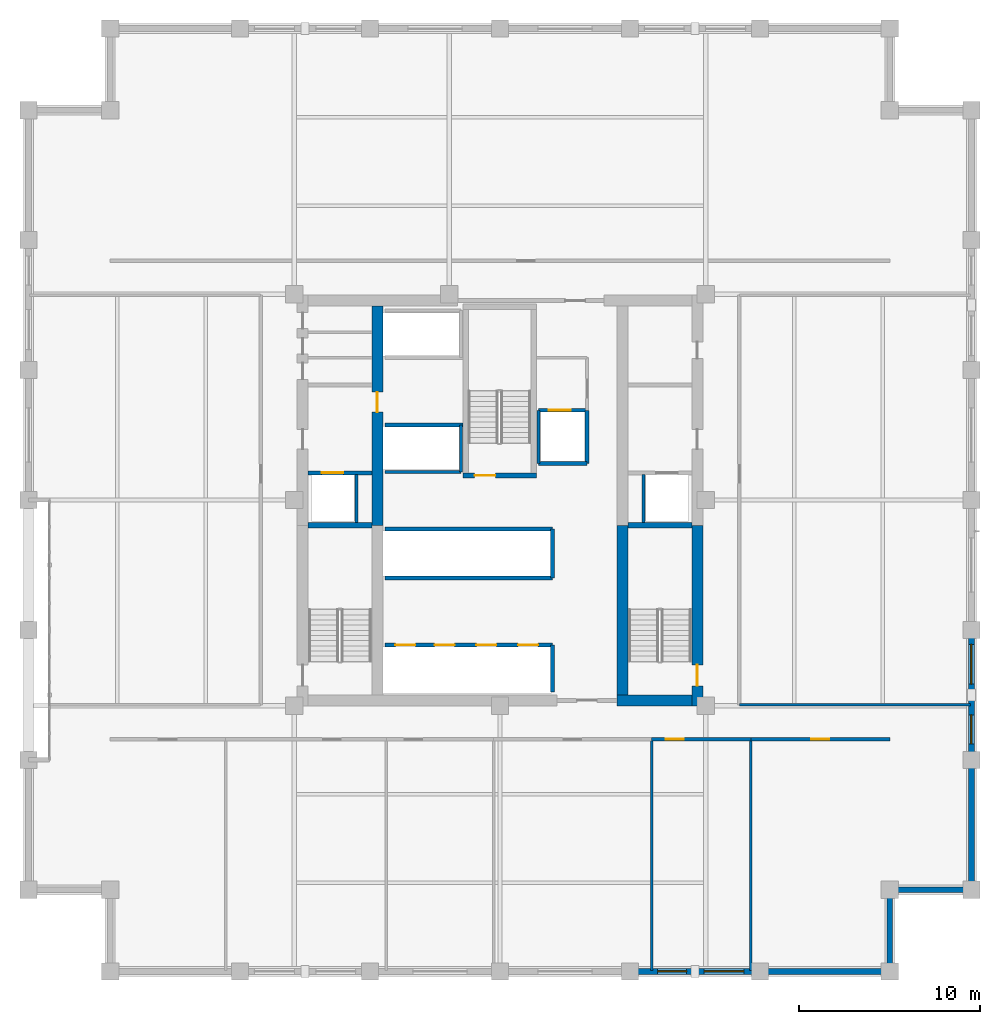
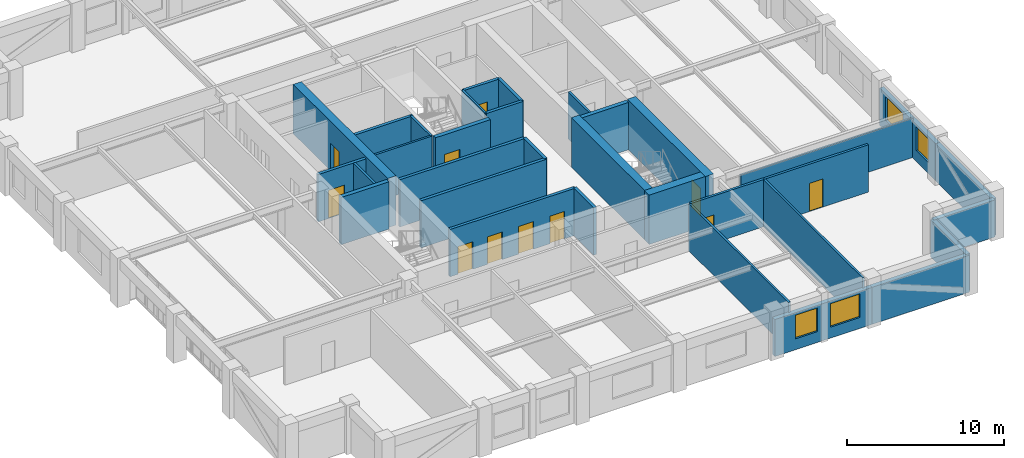
# One storey, part 8 of 12: 33 walls, 11 doors, 4 windows, 15 openings.
"""IFC4 building model written with IfcOpenShell, lengths in metres."""

from ifc_helpers import new_model, si_unit, direction, frame, frame_2d, origin, place, context, subcontext, project, spatial, rectangle, extrude, material, layer, layer_set, type_object, element, fill, save


model = new_model("IFC4")

# Units and contexts
model_context = context("Model", 3, precision=1e-05, world=origin(), true_north=direction((0.0, 1.0)))
body_context = subcontext(model_context, "Body", "Model", "MODEL_VIEW")
ifc_project = project(units=[si_unit("LENGTHUNIT", "METRE"), si_unit("AREAUNIT", "SQUARE_METRE"), si_unit("VOLUMEUNIT", "CUBIC_METRE"), si_unit("PLANEANGLEUNIT", "RADIAN"), si_unit("MASSUNIT", "GRAM", prefix="KILO")], contexts=[model_context])

# Site, building, storey
site_placement = place(None, origin())
site = spatial("IfcSite", under=ifc_project, at=site_placement, CompositionType="ELEMENT")
building_placement = place(site_placement, origin())
building = spatial("IfcBuilding", under=site, at=building_placement, Name="Nhamokura Convention Tower", CompositionType="ELEMENT")
storey_placement = place(building_placement, frame((0.0, 0.0, 164.5)))
storey = spatial("IfcBuildingStorey", under=building, at=storey_placement, Name="L40", CompositionType="ELEMENT", Elevation=164.5)

# Wall, openings, windows
ifc_material_1 = material(Name="Bronze-pigmented precast concrete C45/55", Category="concrete")
ifc_layer_1 = layer(ifc_material_1, 0.320068359375)
ifc_layer_set_1 = layer_set([ifc_layer_1], Name="BronzePrecastSpandrel_320")
wall_type_1 = type_object("IfcWallType", Name="BronzePrecastSpandrel_320", PredefinedType="USERDEFINED", material=ifc_layer_set_1)
wall_1_placement = place(storey_placement, frame((46.333251953125, 6.0, 0.0), z_axis=(0.0, 0.0, 1.0), x_axis=(-1.0, 0.0, 0.0)))
wall_1 = element("IfcWall", 1, at=wall_1_placement, inside=storey, type_object=wall_type_1, Name="L40 Masonry-Frame Wall SOUTH 4", ObjectType="SPANDREL_WALL", PredefinedType="USERDEFINED", context=body_context, shape_type="SweptSolid", body=[
    extrude(rectangle(XDim=7.16650390625, YDim=0.320068359375, at=frame_2d((3.583251953125, 0.0))), origin(), (0.0, 0.0, 1.0), 2.885009765625),
])
opening_1_placement = place(wall_1_placement, frame((0.879150390625, 0.0, 0.85009765625)))
opening_1 = element("IfcOpeningElement", 2, at=opening_1_placement, cuts=wall_1, Name="Opening W-06", PredefinedType="OPENING", context=body_context, shape_type="SweptSolid", body=[
    extrude(rectangle(XDim=2.199951171875, YDim=1.8349609375, at=frame_2d((1.10009765625, 0.91748046875))), frame((0.0, 0.169921875, 0.0), z_axis=(0.0, -1.0, 0.0), x_axis=(1.0, 0.0, 0.0)), (0.0, 0.0, 1.0), 0.340087890625),
])
opening_2_placement = place(wall_1_placement, frame((4.03759765625, 0.0, 0.85009765625)))
opening_2 = element("IfcOpeningElement", 3, at=opening_2_placement, cuts=wall_1, Name="Opening W-11", PredefinedType="OPENING", context=body_context, shape_type="SweptSolid", body=[
    extrude(rectangle(XDim=1.60009765625, YDim=1.8349609375, at=frame_2d((0.800048828125, 0.91748046875))), frame((0.0, 0.169921875, 0.0), z_axis=(0.0, -1.0, 0.0), x_axis=(1.0, 0.0, 0.0)), (0.0, 0.0, 1.0), 0.340087890625),
])
ifc_material_2 = material(Name="Solar-control bronze low-E double glass", Category="glass")
window_type_1 = type_object("IfcWindowType", Name="NotchCornerWindow_1600", PartitioningType="SINGLE_PANEL", PredefinedType="WINDOW", material=ifc_material_2)
window_1_placement = place(opening_2_placement, origin())
window_1 = element("IfcWindow", 4, at=window_1_placement, inside=storey, type_object=window_type_1, Name="L40 Facade Window SOUTH 4-2", OverallHeight=1.8349609375, OverallWidth=1.60009765625, PartitioningType="SINGLE_PANEL", PredefinedType="WINDOW", context=body_context, shape_type="SweptSolid", body=[
    extrude(rectangle(XDim=1.60009765625, YDim=1.8349609375, at=frame_2d((0.800048828125, 0.91748046875))), frame((0.0, 0.030029296875, 0.0), z_axis=(0.0, -1.0, 0.0), x_axis=(1.0, 0.0, 0.0)), (0.0, 0.0, 1.0), 0.06005859375),
])
fill(opening_2, window_1)
ifc_material_3 = material(Name="Solar-control bronze low-E double glass", Category="glass")
window_type_2 = type_object("IfcWindowType", Name="OfficeModuleWindow_Z2_2200", PartitioningType="SINGLE_PANEL", PredefinedType="WINDOW", material=ifc_material_3)
window_2_placement = place(opening_1_placement, origin())
window_2 = element("IfcWindow", 5, at=window_2_placement, inside=storey, type_object=window_type_2, Name="L40 Facade Window SOUTH 4-1", OverallHeight=1.8349609375, OverallWidth=2.199951171875, PartitioningType="SINGLE_PANEL", PredefinedType="WINDOW", context=body_context, shape_type="SweptSolid", body=[
    extrude(rectangle(XDim=2.199951171875, YDim=1.8349609375, at=frame_2d((1.10009765625, 0.91748046875))), frame((0.0, 0.030029296875, 0.0), z_axis=(0.0, -1.0, 0.0), x_axis=(1.0, 0.0, 0.0)), (0.0, 0.0, 1.0), 0.06005859375),
])
fill(opening_1, window_2)

# Walls
for number, where, z_axis, x_axis, name in (
    (6, (53.5, 6.0, 0.0), (0.0, 0.0, 1.0), (-1.0, 0.0, 0.0), "L40 Braced-Bay Precast Wall SOUTH 5"),
    (7, (58.0, 17.666748046875, 0.0), (0.0, 0.0, 1.0), (0.0, -1.0, 0.0), "L40 Braced-Bay Precast Wall EAST 0"),
):
    element("IfcWall", number, at=place(storey_placement, frame(where, z_axis=z_axis, x_axis=x_axis)), inside=storey, type_object=wall_type_1, Name=name, ObjectType="SPANDREL_WALL", PredefinedType="USERDEFINED", context=body_context, shape_type="SweptSolid", body=[
        extrude(rectangle(XDim=7.166748046875, YDim=0.320068359375, at=frame_2d((3.58349609375, 0.0))), origin(), (0.0, 0.0, 1.0), 2.885009765625),
    ])

# Wall, openings, windows
wall_2_placement = place(storey_placement, frame((58.0, 24.833251953125, 0.0), z_axis=(0.0, 0.0, 1.0), x_axis=(0.0, -1.0, 0.0)))
wall_2 = element("IfcWall", 8, at=wall_2_placement, inside=storey, type_object=wall_type_1, Name="L40 Masonry-Frame Wall EAST 1", ObjectType="SPANDREL_WALL", PredefinedType="USERDEFINED", context=body_context, shape_type="SweptSolid", body=[
    extrude(rectangle(XDim=7.16650390625, YDim=0.320068359375, at=frame_2d((3.583251953125, 0.0))), origin(), (0.0, 0.0, 1.0), 2.885009765625),
])
opening_3_placement = place(wall_2_placement, frame((0.791748046875, 0.0, 0.85009765625)))
opening_3 = element("IfcOpeningElement", 9, at=opening_3_placement, cuts=wall_2, Name="Opening W-06", PredefinedType="OPENING", context=body_context, shape_type="SweptSolid", body=[
    extrude(rectangle(XDim=2.199951171875, YDim=1.8349609375, at=frame_2d((1.10009765625, 0.91748046875))), frame((0.0, 0.169921875, 0.0), z_axis=(0.0, -1.0, 0.0), x_axis=(1.0, 0.0, 0.0)), (0.0, 0.0, 1.0), 0.340087890625),
])
opening_4_placement = place(wall_2_placement, frame((4.6875, 0.0, 0.85009765625)))
opening_4 = element("IfcOpeningElement", 10, at=opening_4_placement, cuts=wall_2, Name="Opening W-11", PredefinedType="OPENING", context=body_context, shape_type="SweptSolid", body=[
    extrude(rectangle(XDim=1.60009765625, YDim=1.8349609375, at=frame_2d((0.800048828125, 0.91748046875))), frame((0.0, 0.169921875, 0.0), z_axis=(0.0, -1.0, 0.0), x_axis=(1.0, 0.0, 0.0)), (0.0, 0.0, 1.0), 0.340087890625),
])
window_3_placement = place(opening_4_placement, origin())
window_3 = element("IfcWindow", 11, at=window_3_placement, inside=storey, type_object=window_type_1, Name="L40 Facade Window EAST 1-2", OverallHeight=1.8349609375, OverallWidth=1.60009765625, PartitioningType="SINGLE_PANEL", PredefinedType="WINDOW", context=body_context, shape_type="SweptSolid", body=[
    extrude(rectangle(XDim=1.60009765625, YDim=1.8349609375, at=frame_2d((0.800048828125, 0.91748046875))), frame((0.0, 0.030029296875, 0.0), z_axis=(0.0, -1.0, 0.0), x_axis=(1.0, 0.0, 0.0)), (0.0, 0.0, 1.0), 0.06005859375),
])
fill(opening_4, window_3)
window_4_placement = place(opening_3_placement, origin())
window_4 = element("IfcWindow", 12, at=window_4_placement, inside=storey, type_object=window_type_2, Name="L40 Facade Window EAST 1-1", OverallHeight=1.8349609375, OverallWidth=2.199951171875, PartitioningType="SINGLE_PANEL", PredefinedType="WINDOW", context=body_context, shape_type="SweptSolid", body=[
    extrude(rectangle(XDim=2.199951171875, YDim=1.8349609375, at=frame_2d((1.10009765625, 0.91748046875))), frame((0.0, 0.030029296875, 0.0), z_axis=(0.0, -1.0, 0.0), x_axis=(1.0, 0.0, 0.0)), (0.0, 0.0, 1.0), 0.06005859375),
])
fill(opening_3, window_4)

# Walls
for number, where, z_axis, x_axis, name in (
    (13, (53.5, 10.5, 0.0), (0.0, 0.0, 1.0), (0.0, -1.0, 0.0), "L40 Notched Corner Wall SE1"),
    (14, (58.0, 10.5, 0.0), (0.0, 0.0, 1.0), (-1.0, 0.0, 0.0), "L40 Notched Corner Wall SE2"),
):
    element("IfcWall", number, at=place(storey_placement, frame(where, z_axis=z_axis, x_axis=x_axis)), inside=storey, type_object=wall_type_1, Name=name, ObjectType="SPANDREL_WALL", PredefinedType="USERDEFINED", context=body_context, shape_type="SweptSolid", body=[
        extrude(rectangle(XDim=4.5, YDim=0.320068359375, at=frame_2d((2.25, 0.0))), origin(), (0.0, 0.0, 1.0), 2.885009765625),
    ])

# Wall, opening, door
ifc_material_4 = material(Name="Concrete C60/75", Category="concrete")
ifc_layer_2 = layer(ifc_material_4, 0.60009765625)
ifc_layer_set_2 = layer_set([ifc_layer_2], Name="CoreShearWall_600")
wall_type_2 = type_object("IfcWallType", Name="CoreShearWall_600", PredefinedType="SHEAR", material=ifc_layer_set_2)
wall_3_placement = place(storey_placement, frame((42.889892578125, 20.64990234375, 0.0), z_axis=(0.0, 0.0, 1.0), x_axis=(0.0, 1.0, 0.0)))
wall_3 = element("IfcWall", 15, at=wall_3_placement, inside=storey, type_object=wall_type_2, Name="L40 Core Shear Wall CW-ES", PredefinedType="SHEAR", context=body_context, shape_type="SweptSolid", body=[
    extrude(rectangle(XDim=9.9501953125, YDim=0.60009765625, at=frame_2d((4.97509765625, 0.0))), origin(), (0.0, 0.0, 1.0), 3.85009765625),
])
opening_5_placement = place(wall_3_placement, frame((1.10009765625, 0.0, 0.0)))
opening_5 = element("IfcOpeningElement", 16, at=opening_5_placement, cuts=wall_3, Name="Opening D-04", PredefinedType="OPENING", context=body_context, shape_type="SweptSolid", body=[
    extrude(rectangle(XDim=1.14990234375, YDim=2.14990234375, at=frame_2d((0.574951171875, 1.074951171875))), frame((0.0, 0.31005859375, 0.0), z_axis=(0.0, -1.0, 0.0), x_axis=(1.0, 0.0, 0.0)), (0.0, 0.0, 1.0), 0.6201171875),
])
ifc_material_5 = material(Name="Fire-rated steel door", Category="steel")
door_type_1 = type_object("IfcDoorType", Name="StairSmokeDoor_1150", OperationType="NOTDEFINED", PredefinedType="DOOR", material=ifc_material_5)
door_1_placement = place(opening_5_placement, origin())
door_1 = element("IfcDoor", 17, at=door_1_placement, inside=storey, type_object=door_type_1, Name="L40 Core Door INT-L40-D-ST02", OperationType="SINGLE_SWING_RIGHT", OverallHeight=2.14990234375, OverallWidth=1.14990234375, PredefinedType="DOOR", context=body_context, shape_type="SweptSolid", body=[
    extrude(rectangle(XDim=1.14990234375, YDim=2.14990234375, at=frame_2d((0.574951171875, 1.074951171875))), frame((0.0, 0.02490234375, 0.0), z_axis=(0.0, -1.0, 0.0), x_axis=(1.0, 0.0, 0.0)), (0.0, 0.0, 1.0), 0.050048828125),
])
fill(opening_5, door_1)

# Wall
wall_4_placement = place(storey_placement, frame((38.449951171875, 20.949951171875, 0.0), z_axis=(0.0, 0.0, 1.0), x_axis=(1.0, 0.0, 0.0)))
element("IfcWall", 18, at=wall_4_placement, inside=storey, type_object=wall_type_2, Name="L40 Core Shear Wall CW-S2", PredefinedType="SHEAR", context=body_context, shape_type="SweptSolid", body=[
    extrude(rectangle(XDim=4.14013671875, YDim=0.60009765625, at=frame_2d((2.070068359375, 0.0))), origin(), (0.0, 0.0, 1.0), 3.85009765625),
])

# Wall, opening, door
wall_5_placement = place(storey_placement, frame((25.239990234375, 30.60009765625, 0.0), z_axis=(0.0, 0.0, 1.0), x_axis=(0.0, 1.0, 0.0)))
wall_5 = element("IfcWall", 19, at=wall_5_placement, inside=storey, type_object=wall_type_2, Name="L40 Core Shear Wall CW-IWN", PredefinedType="SHEAR", context=body_context, shape_type="SweptSolid", body=[
    extrude(rectangle(XDim=12.099853515625, YDim=0.60009765625, at=frame_2d((6.0498046875, 0.0))), origin(), (0.0, 0.0, 1.0), 3.85009765625),
])
opening_6_placement = place(wall_5_placement, frame((6.25, 0.0, 0.0)))
opening_6 = element("IfcOpeningElement", 20, at=opening_6_placement, cuts=wall_5, Name="Opening D-05", PredefinedType="OPENING", context=body_context, shape_type="SweptSolid", body=[
    extrude(rectangle(XDim=1.10009765625, YDim=2.14990234375, at=frame_2d((0.550048828125, 1.074951171875))), frame((0.0, 0.31005859375, 0.0), z_axis=(0.0, -1.0, 0.0), x_axis=(1.0, 0.0, 0.0)), (0.0, 0.0, 1.0), 0.6201171875),
])
ifc_material_6 = material(Name="Fire-rated steel door", Category="steel")
door_type_2 = type_object("IfcDoorType", Name="FireLobbyDoor_1100", OperationType="NOTDEFINED", PredefinedType="DOOR", material=ifc_material_6)
door_2_placement = place(opening_6_placement, origin())
door_2 = element("IfcDoor", 21, at=door_2_placement, inside=storey, type_object=door_type_2, Name="L40 Core Door INT-L40-D-B3LOB", OperationType="SINGLE_SWING_LEFT", OverallHeight=2.14990234375, OverallWidth=1.10009765625, PredefinedType="DOOR", context=body_context, shape_type="SweptSolid", body=[
    extrude(rectangle(XDim=1.10009765625, YDim=2.14990234375, at=frame_2d((0.550048828125, 1.074951171875))), frame((0.0, 0.02490234375, 0.0), z_axis=(0.0, -1.0, 0.0), x_axis=(1.0, 0.0, 0.0)), (0.0, 0.0, 1.0), 0.050048828125),
])
fill(opening_6, door_2)

# Wall
wall_6_placement = place(storey_placement, frame((38.760009765625, 21.25, 0.0), z_axis=(0.0, 0.0, 1.0), x_axis=(0.0, 1.0, 0.0)))
element("IfcWall", 22, at=wall_6_placement, inside=storey, type_object=wall_type_2, Name="L40 Core Shear Wall CW-IES", PredefinedType="SHEAR", context=body_context, shape_type="SweptSolid", body=[
    extrude(rectangle(XDim=9.35009765625, YDim=0.60009765625, at=frame_2d((4.675048828125, 0.0))), origin(), (0.0, 0.0, 1.0), 3.85009765625),
])

# Wall, opening, door
ifc_material_7 = material(Name="Fire-rated gypsum and masonry partition", Category="masonry")
ifc_layer_3 = layer(ifc_material_7, 0.179931640625)
ifc_layer_set_3 = layer_set([ifc_layer_3], Name="CorridorRatedWall_180")
wall_type_3 = type_object("IfcWallType", Name="CorridorRatedWall_180", PredefinedType="STANDARD", material=ifc_layer_set_3)
wall_7_placement = place(storey_placement, frame((40.36669921875, 18.800048828125, 0.0), z_axis=(0.0, 0.0, 1.0), x_axis=(1.0, 0.0, 0.0)))
wall_7 = element("IfcWall", 23, at=wall_7_placement, inside=storey, type_object=wall_type_3, Name="L40 Wall INT-L40-CW-S04", PredefinedType="STANDARD", context=body_context, shape_type="SweptSolid", body=[
    extrude(rectangle(XDim=5.466552734375, YDim=0.179931640625, at=frame_2d((2.7333984375, 0.0))), origin(), (0.0, 0.0, 1.0), 3.68505859375),
])
opening_7_placement = place(wall_7_placement, frame((0.783203125, 0.0, 0.0)))
opening_7 = element("IfcOpeningElement", 24, at=opening_7_placement, cuts=wall_7, Name="Opening D-08", PredefinedType="OPENING", context=body_context, shape_type="SweptSolid", body=[
    extrude(rectangle(XDim=0.97998046875, YDim=2.199951171875, at=frame_2d((0.489990234375, 1.10009765625))), frame((0.0, 0.099853515625, 0.0), z_axis=(0.0, -1.0, 0.0), x_axis=(1.0, 0.0, 0.0)), (0.0, 0.0, 1.0), 0.199951171875),
])
ifc_material_8 = material(Name="Solid oak hardwood", Category="wood")
door_type_3 = type_object("IfcDoorType", Name="OfficeEntryDoor_980", OperationType="NOTDEFINED", PredefinedType="DOOR", material=ifc_material_8)
door_3_placement = place(opening_7_placement, origin())
door_3 = element("IfcDoor", 25, at=door_3_placement, inside=storey, type_object=door_type_3, Name="L40 Newsroom Office S05 Door", OperationType="SINGLE_SWING_LEFT", OverallHeight=2.199951171875, OverallWidth=0.97998046875, PredefinedType="DOOR", context=body_context, shape_type="SweptSolid", body=[
    extrude(rectangle(XDim=0.97998046875, YDim=2.199951171875, at=frame_2d((0.489990234375, 1.10009765625))), frame((0.0, 0.02490234375, 0.0), z_axis=(0.0, -1.0, 0.0), x_axis=(1.0, 0.0, 0.0)), (0.0, 0.0, 1.0), 0.050048828125),
])
fill(opening_7, door_3)

wall_8_placement = place(storey_placement, frame((45.833251953125, 18.800048828125, 0.0), z_axis=(0.0, 0.0, 1.0), x_axis=(1.0, 0.0, 0.0)))
wall_8 = element("IfcWall", 26, at=wall_8_placement, inside=storey, type_object=wall_type_3, Name="L40 Wall INT-L40-CW-S05", PredefinedType="STANDARD", context=body_context, shape_type="SweptSolid", body=[
    extrude(rectangle(XDim=7.666748046875, YDim=0.179931640625, at=frame_2d((3.83349609375, 0.0))), origin(), (0.0, 0.0, 1.0), 3.68505859375),
])
opening_8_placement = place(wall_8_placement, frame((3.33349609375, 0.0, 0.0)))
opening_8 = element("IfcOpeningElement", 27, at=opening_8_placement, cuts=wall_8, Name="Opening D-08", PredefinedType="OPENING", context=body_context, shape_type="SweptSolid", body=[
    extrude(rectangle(XDim=0.97998046875, YDim=2.199951171875, at=frame_2d((0.489990234375, 1.10009765625))), frame((0.0, 0.099853515625, 0.0), z_axis=(0.0, -1.0, 0.0), x_axis=(1.0, 0.0, 0.0)), (0.0, 0.0, 1.0), 0.199951171875),
])
door_4_placement = place(opening_8_placement, origin())
door_4 = element("IfcDoor", 28, at=door_4_placement, inside=storey, type_object=door_type_3, Name="L40 Green Room Lounge S06 Door", OperationType="SINGLE_SWING_RIGHT", OverallHeight=2.199951171875, OverallWidth=0.97998046875, PredefinedType="DOOR", context=body_context, shape_type="SweptSolid", body=[
    extrude(rectangle(XDim=0.97998046875, YDim=2.199951171875, at=frame_2d((0.489990234375, 1.10009765625))), frame((0.0, 0.02490234375, 0.0), z_axis=(0.0, -1.0, 0.0), x_axis=(1.0, 0.0, 0.0)), (0.0, 0.0, 1.0), 0.050048828125),
])
fill(opening_8, door_4)

ifc_material_9 = material(Name="Autoclaved concrete blockwork", Category="masonry")
ifc_layer_4 = layer(ifc_material_9, 0.219970703125)
ifc_layer_set_4 = layer_set([ifc_layer_4], Name="FireLobbyWall_220")
wall_type_4 = type_object("IfcWallType", Name="FireLobbyWall_220", PredefinedType="STANDARD", material=ifc_layer_set_4)
wall_9_placement = place(storey_placement, frame((21.409912109375, 33.5, 0.0), z_axis=(0.0, 0.0, 1.0), x_axis=(1.0, 0.0, 0.0)))
wall_9 = element("IfcWall", 29, at=wall_9_placement, inside=storey, type_object=wall_type_4, Name="L40 Wall INT-L40-FFW-S", PredefinedType="STANDARD", context=body_context, shape_type="SweptSolid", body=[
    extrude(rectangle(XDim=3.530029296875, YDim=0.219970703125, at=frame_2d((1.76513671875, 0.0))), origin(), (0.0, 0.0, 1.0), 3.68505859375),
])
opening_9_placement = place(wall_9_placement, frame((0.75, 0.0, 0.0)))
opening_9 = element("IfcOpeningElement", 30, at=opening_9_placement, cuts=wall_9, Name="Opening LD-02", PredefinedType="OPENING", context=body_context, shape_type="SweptSolid", body=[
    extrude(rectangle(XDim=1.199951171875, YDim=2.199951171875, at=frame_2d((0.60009765625, 1.10009765625))), frame((0.0, 0.119873046875, 0.0), z_axis=(0.0, -1.0, 0.0), x_axis=(1.0, 0.0, 0.0)), (0.0, 0.0, 1.0), 0.239990234375),
])
ifc_material_10 = material(Name="Anodised bronze stainless steel", Category="steel")
door_type_4 = type_object("IfcDoorType", Name="LiftLandingDoor_FireService", OperationType="DOUBLE_DOOR_SLIDING", PredefinedType="DOOR", material=ifc_material_10)
door_5_placement = place(opening_9_placement, origin())
door_5 = element("IfcDoor", 31, at=door_5_placement, inside=storey, type_object=door_type_4, Name="L40 Firefighting Lift LF-01 Door", OperationType="DOUBLE_DOOR_SLIDING", OverallHeight=2.199951171875, OverallWidth=1.199951171875, PredefinedType="DOOR", context=body_context, shape_type="SweptSolid", body=[
    extrude(rectangle(XDim=1.199951171875, YDim=2.199951171875, at=frame_2d((0.60009765625, 1.10009765625))), frame((0.0, 0.02490234375, 0.0), z_axis=(0.0, -1.0, 0.0), x_axis=(1.0, 0.0, 0.0)), (0.0, 0.0, 1.0), 0.050048828125),
])
fill(opening_9, door_5)

# Wall, openings, doors
wall_10_placement = place(storey_placement, frame((25.64990234375, 24.0, 0.0), z_axis=(0.0, 0.0, 1.0), x_axis=(1.0, 0.0, 0.0)))
wall_10 = element("IfcWall", 32, at=wall_10_placement, inside=storey, type_object=wall_type_4, Name="L40 Wall INT-L40-B1N", PredefinedType="STANDARD", context=body_context, shape_type="SweptSolid", body=[
    extrude(rectangle(XDim=9.25, YDim=0.219970703125, at=frame_2d((4.625, 0.0))), origin(), (0.0, 0.0, 1.0), 3.68505859375),
])
opening_10_placement = place(wall_10_placement, frame((0.580078125, 0.0, 0.0)))
opening_10 = element("IfcOpeningElement", 33, at=opening_10_placement, cuts=wall_10, Name="Opening LD-01", PredefinedType="OPENING", context=body_context, shape_type="SweptSolid", body=[
    extrude(rectangle(XDim=1.10009765625, YDim=2.14990234375, at=frame_2d((0.550048828125, 1.074951171875))), frame((0.0, 0.119873046875, 0.0), z_axis=(0.0, -1.0, 0.0), x_axis=(1.0, 0.0, 0.0)), (0.0, 0.0, 1.0), 0.239990234375),
])
opening_11_placement = place(wall_10_placement, frame((2.75, 0.0, 0.0)))
opening_11 = element("IfcOpeningElement", 34, at=opening_11_placement, cuts=wall_10, Name="Opening LD-01", PredefinedType="OPENING", context=body_context, shape_type="SweptSolid", body=[
    extrude(rectangle(XDim=1.10009765625, YDim=2.14990234375, at=frame_2d((0.550048828125, 1.074951171875))), frame((0.0, 0.119873046875, 0.0), z_axis=(0.0, -1.0, 0.0), x_axis=(1.0, 0.0, 0.0)), (0.0, 0.0, 1.0), 0.239990234375),
])
opening_12_placement = place(wall_10_placement, frame((5.050048828125, 0.0, 0.0)))
opening_12 = element("IfcOpeningElement", 35, at=opening_12_placement, cuts=wall_10, Name="Opening LD-01", PredefinedType="OPENING", context=body_context, shape_type="SweptSolid", body=[
    extrude(rectangle(XDim=1.10009765625, YDim=2.14990234375, at=frame_2d((0.550048828125, 1.074951171875))), frame((0.0, 0.119873046875, 0.0), z_axis=(0.0, -1.0, 0.0), x_axis=(1.0, 0.0, 0.0)), (0.0, 0.0, 1.0), 0.239990234375),
])
opening_13_placement = place(wall_10_placement, frame((7.35009765625, 0.0, 0.0)))
opening_13 = element("IfcOpeningElement", 36, at=opening_13_placement, cuts=wall_10, Name="Opening LD-01", PredefinedType="OPENING", context=body_context, shape_type="SweptSolid", body=[
    extrude(rectangle(XDim=1.10009765625, YDim=2.14990234375, at=frame_2d((0.550048828125, 1.074951171875))), frame((0.0, 0.119873046875, 0.0), z_axis=(0.0, -1.0, 0.0), x_axis=(1.0, 0.0, 0.0)), (0.0, 0.0, 1.0), 0.239990234375),
])
ifc_material_11 = material(Name="Anodised bronze stainless steel", Category="steel")
door_type_5 = type_object("IfcDoorType", Name="LiftLandingDoor_Passenger", OperationType="DOUBLE_DOOR_SLIDING", PredefinedType="DOOR", material=ifc_material_11)
door_6_placement = place(opening_10_placement, origin())
door_6 = element("IfcDoor", 37, at=door_6_placement, inside=storey, type_object=door_type_5, Name="L40 Lift LP-01 Landing Door", OperationType="DOUBLE_DOOR_SLIDING", OverallHeight=2.14990234375, OverallWidth=1.10009765625, PredefinedType="DOOR", context=body_context, shape_type="SweptSolid", body=[
    extrude(rectangle(XDim=1.10009765625, YDim=2.14990234375, at=frame_2d((0.550048828125, 1.074951171875))), frame((0.0, 0.02490234375, 0.0), z_axis=(0.0, -1.0, 0.0), x_axis=(1.0, 0.0, 0.0)), (0.0, 0.0, 1.0), 0.050048828125),
])
fill(opening_10, door_6)
door_7_placement = place(opening_11_placement, origin())
door_7 = element("IfcDoor", 38, at=door_7_placement, inside=storey, type_object=door_type_5, Name="L40 Lift LP-02 Landing Door", OperationType="DOUBLE_DOOR_SLIDING", OverallHeight=2.14990234375, OverallWidth=1.10009765625, PredefinedType="DOOR", context=body_context, shape_type="SweptSolid", body=[
    extrude(rectangle(XDim=1.10009765625, YDim=2.14990234375, at=frame_2d((0.550048828125, 1.074951171875))), frame((0.0, 0.02490234375, 0.0), z_axis=(0.0, -1.0, 0.0), x_axis=(1.0, 0.0, 0.0)), (0.0, 0.0, 1.0), 0.050048828125),
])
fill(opening_11, door_7)
door_8_placement = place(opening_12_placement, origin())
door_8 = element("IfcDoor", 39, at=door_8_placement, inside=storey, type_object=door_type_5, Name="L40 Lift LP-03 Landing Door", OperationType="DOUBLE_DOOR_SLIDING", OverallHeight=2.14990234375, OverallWidth=1.10009765625, PredefinedType="DOOR", context=body_context, shape_type="SweptSolid", body=[
    extrude(rectangle(XDim=1.10009765625, YDim=2.14990234375, at=frame_2d((0.550048828125, 1.074951171875))), frame((0.0, 0.02490234375, 0.0), z_axis=(0.0, -1.0, 0.0), x_axis=(1.0, 0.0, 0.0)), (0.0, 0.0, 1.0), 0.050048828125),
])
fill(opening_12, door_8)
door_9_placement = place(opening_13_placement, origin())
door_9 = element("IfcDoor", 40, at=door_9_placement, inside=storey, type_object=door_type_5, Name="L40 Lift LP-04 Landing Door", OperationType="DOUBLE_DOOR_SLIDING", OverallHeight=2.14990234375, OverallWidth=1.10009765625, PredefinedType="DOOR", context=body_context, shape_type="SweptSolid", body=[
    extrude(rectangle(XDim=1.10009765625, YDim=2.14990234375, at=frame_2d((0.550048828125, 1.074951171875))), frame((0.0, 0.02490234375, 0.0), z_axis=(0.0, -1.0, 0.0), x_axis=(1.0, 0.0, 0.0)), (0.0, 0.0, 1.0), 0.050048828125),
])
fill(opening_13, door_9)

# Walls
wall_11_placement = place(storey_placement, frame((34.89990234375, 21.39990234375, 0.0), z_axis=(0.0, 0.0, 1.0), x_axis=(0.0, 1.0, 0.0)))
element("IfcWall", 41, at=wall_11_placement, inside=storey, type_object=wall_type_4, Name="L40 Wall INT-L40-B1E", PredefinedType="STANDARD", context=body_context, shape_type="SweptSolid", body=[
    extrude(rectangle(XDim=2.60009765625, YDim=0.219970703125, at=frame_2d((1.300048828125, 0.0))), origin(), (0.0, 0.0, 1.0), 3.68505859375),
])
for number, where, z_axis, x_axis, name in (
    (42, (25.64990234375, 27.699951171875, 0.0), (0.0, 0.0, 1.0), (1.0, 0.0, 0.0), "L40 Wall INT-L40-B2S"),
    (43, (25.64990234375, 30.39990234375, 0.0), (0.0, 0.0, 1.0), (1.0, 0.0, 0.0), "L40 Wall INT-L40-B2N"),
):
    element("IfcWall", number, at=place(storey_placement, frame(where, z_axis=z_axis, x_axis=x_axis)), inside=storey, type_object=wall_type_4, Name=name, PredefinedType="STANDARD", context=body_context, shape_type="SweptSolid", body=[
        extrude(rectangle(XDim=9.25, YDim=0.219970703125, at=frame_2d((4.625, 0.0))), origin(), (0.0, 0.0, 1.0), 3.68505859375),
    ])
wall_12_placement = place(storey_placement, frame((34.89990234375, 27.699951171875, 0.0), z_axis=(0.0, 0.0, 1.0), x_axis=(0.0, 1.0, 0.0)))
element("IfcWall", 44, at=wall_12_placement, inside=storey, type_object=wall_type_4, Name="L40 Wall INT-L40-B2E", PredefinedType="STANDARD", context=body_context, shape_type="SweptSolid", body=[
    extrude(rectangle(XDim=2.699951171875, YDim=0.219970703125, at=frame_2d((1.35009765625, 0.0))), origin(), (0.0, 0.0, 1.0), 3.68505859375),
])
wall_13_placement = place(storey_placement, frame((25.64990234375, 36.14990234375, 0.0), z_axis=(0.0, 0.0, 1.0), x_axis=(1.0, 0.0, 0.0)))
element("IfcWall", 45, at=wall_13_placement, inside=storey, type_object=wall_type_4, Name="L40 Wall INT-L40-B3S", PredefinedType="STANDARD", context=body_context, shape_type="SweptSolid", body=[
    extrude(rectangle(XDim=4.300048828125, YDim=0.219970703125, at=frame_2d((2.14990234375, 0.0))), origin(), (0.0, 0.0, 1.0), 3.68505859375),
])

# Wall, opening, door
wall_14_placement = place(storey_placement, frame((34.1201171875, 36.949951171875, 0.0), z_axis=(0.0, 0.0, 1.0), x_axis=(1.0, 0.0, 0.0)))
wall_14 = element("IfcWall", 46, at=wall_14_placement, inside=storey, type_object=wall_type_4, Name="L40 Wall INT-L40-LSN", PredefinedType="STANDARD", context=body_context, shape_type="SweptSolid", body=[
    extrude(rectangle(XDim=2.679931640625, YDim=0.219970703125, at=frame_2d((1.33984375, 0.0))), origin(), (0.0, 0.0, 1.0), 3.68505859375),
])
opening_14_placement = place(wall_14_placement, frame((0.580078125, 0.0, 0.0)))
opening_14 = element("IfcOpeningElement", 47, at=opening_14_placement, cuts=wall_14, Name="Opening LD-02", PredefinedType="OPENING", context=body_context, shape_type="SweptSolid", body=[
    extrude(rectangle(XDim=1.199951171875, YDim=2.199951171875, at=frame_2d((0.60009765625, 1.10009765625))), frame((0.0, 0.119873046875, 0.0), z_axis=(0.0, -1.0, 0.0), x_axis=(1.0, 0.0, 0.0)), (0.0, 0.0, 1.0), 0.239990234375),
])
door_10_placement = place(opening_14_placement, origin())
door_10 = element("IfcDoor", 48, at=door_10_placement, inside=storey, type_object=door_type_4, Name="L40 Service Lift LS-01 Door", OperationType="DOUBLE_DOOR_SLIDING", OverallHeight=2.199951171875, OverallWidth=1.199951171875, PredefinedType="DOOR", context=body_context, shape_type="SweptSolid", body=[
    extrude(rectangle(XDim=1.199951171875, YDim=2.199951171875, at=frame_2d((0.60009765625, 1.10009765625))), frame((0.0, 0.02490234375, 0.0), z_axis=(0.0, -1.0, 0.0), x_axis=(1.0, 0.0, 0.0)), (0.0, 0.0, 1.0), 0.050048828125),
])
fill(opening_14, door_10)

# Walls
wall_15_placement = place(storey_placement, frame((36.800048828125, 34.02001953125, 0.0), z_axis=(0.0, 0.0, 1.0), x_axis=(0.0, 1.0, 0.0)))
element("IfcWall", 49, at=wall_15_placement, inside=storey, type_object=wall_type_4, Name="L40 Wall INT-L40-LSE", PredefinedType="STANDARD", context=body_context, shape_type="SweptSolid", body=[
    extrude(rectangle(XDim=2.929931640625, YDim=0.219970703125, at=frame_2d((1.46484375, 0.0))), origin(), (0.0, 0.0, 1.0), 3.68505859375),
])
wall_16_placement = place(storey_placement, frame((34.1201171875, 34.02001953125, 0.0), z_axis=(0.0, 0.0, 1.0), x_axis=(1.0, 0.0, 0.0)))
element("IfcWall", 50, at=wall_16_placement, inside=storey, type_object=wall_type_4, Name="L40 Wall INT-L40-LSS", PredefinedType="STANDARD", context=body_context, shape_type="SweptSolid", body=[
    extrude(rectangle(XDim=2.679931640625, YDim=0.219970703125, at=frame_2d((1.33984375, 0.0))), origin(), (0.0, 0.0, 1.0), 3.68505859375),
])
ifc_material_12 = material(Name="Acoustic gypsum stud partition", Category="masonry")
ifc_layer_5 = layer(ifc_material_12, 0.14990234375)
ifc_layer_set_5 = layer_set([ifc_layer_5], Name="InteriorPartition_150")
wall_type_5 = type_object("IfcWallType", Name="InteriorPartition_150", PredefinedType="STANDARD", material=ifc_layer_set_5)
for number, where, z_axis, x_axis, name in (
    (51, (24.080078125, 30.75, 0.0), (0.0, 0.0, 1.0), (0.0, 1.0, 0.0), "L40 Wall INT-L40-FF1-E"),
    (52, (39.919921875, 30.75, 0.0), (0.0, 0.0, 1.0), (0.0, 1.0, 0.0), "L40 Wall INT-L40-FF2-W"),
):
    element("IfcWall", number, at=place(storey_placement, frame(where, z_axis=z_axis, x_axis=x_axis)), inside=storey, type_object=wall_type_5, Name=name, PredefinedType="STANDARD", context=body_context, shape_type="SweptSolid", body=[
        extrude(rectangle(XDim=2.64990234375, YDim=0.14990234375, at=frame_2d((1.324951171875, 0.0))), origin(), (0.0, 0.0, 1.0), 3.68505859375),
    ])
wall_17_placement = place(storey_placement, frame((25.64990234375, 33.550048828125, 0.0), z_axis=(0.0, 0.0, 1.0), x_axis=(1.0, 0.0, 0.0)))
element("IfcWall", 53, at=wall_17_placement, inside=storey, type_object=wall_type_5, Name="L40 Wall INT-L40-B3A-S", PredefinedType="STANDARD", context=body_context, shape_type="SweptSolid", body=[
    extrude(rectangle(XDim=4.2001953125, YDim=0.14990234375, at=frame_2d((2.10009765625, 0.0))), origin(), (0.0, 0.0, 1.0), 3.68505859375),
])
wall_18_placement = place(storey_placement, frame((29.85009765625, 33.550048828125, 0.0), z_axis=(0.0, 0.0, 1.0), x_axis=(0.0, 1.0, 0.0)))
element("IfcWall", 54, at=wall_18_placement, inside=storey, type_object=wall_type_5, Name="L40 Wall INT-L40-B3A-E", PredefinedType="STANDARD", context=body_context, shape_type="SweptSolid", body=[
    extrude(rectangle(XDim=2.599853515625, YDim=0.14990234375, at=frame_2d((1.2998046875, 0.0))), origin(), (0.0, 0.0, 1.0), 3.68505859375),
])
wall_19_placement = place(storey_placement, frame((34.1201171875, 34.02001953125, 0.0), z_axis=(0.0, 0.0, 1.0), x_axis=(0.0, 1.0, 0.0)))
element("IfcWall", 55, at=wall_19_placement, inside=storey, type_object=wall_type_5, Name="L40 Wall INT-L40-LSW", PredefinedType="STANDARD", context=body_context, shape_type="SweptSolid", body=[
    extrude(rectangle(XDim=2.929931640625, YDim=0.14990234375, at=frame_2d((1.46484375, 0.0))), origin(), (0.0, 0.0, 1.0), 3.68505859375),
])
for number, where, z_axis, x_axis, name in (
    (56, (40.36669921875, 6.06005859375, 0.0), (0.0, 0.0, 1.0), (0.0, 1.0, 0.0), "L40 Wall INT-L40-RW-S04"),
    (57, (45.833251953125, 6.06005859375, 0.0), (0.0, 0.0, 1.0), (0.0, 1.0, 0.0), "L40 Wall INT-L40-RW-S05"),
):
    element("IfcWall", number, at=place(storey_placement, frame(where, z_axis=z_axis, x_axis=x_axis)), inside=storey, type_object=wall_type_5, Name=name, PredefinedType="STANDARD", context=body_context, shape_type="SweptSolid", body=[
        extrude(rectangle(XDim=12.739990234375, YDim=0.14990234375, at=frame_2d((6.3701171875, 0.0))), origin(), (0.0, 0.0, 1.0), 3.68505859375),
    ])
wall_20_placement = place(storey_placement, frame((45.199951171875, 20.699951171875, 0.0), z_axis=(0.0, 0.0, 1.0), x_axis=(1.0, 0.0, 0.0)))
element("IfcWall", 58, at=wall_20_placement, inside=storey, type_object=wall_type_5, Name="L40 Wall INT-L40-RWB-E", PredefinedType="STANDARD", context=body_context, shape_type="SweptSolid", body=[
    extrude(rectangle(XDim=12.739990234375, YDim=0.14990234375, at=frame_2d((6.3701171875, 0.0))), origin(), (0.0, 0.0, 1.0), 3.055908203125),
])
ifc_material_13 = material(Name="Concrete C50/60", Category="concrete")
ifc_layer_6 = layer(ifc_material_13, 0.300048828125)
ifc_layer_set_6 = layer_set([ifc_layer_6], Name="ShaftEnclosureWall_300")
wall_type_6 = type_object("IfcWallType", Name="ShaftEnclosureWall_300", PredefinedType="SHEAR", material=ifc_layer_set_6)
for number, where, z_axis, x_axis, name in (
    (59, (21.409912109375, 30.60009765625, 0.0), (0.0, 0.0, 1.0), (1.0, 0.0, 0.0), "L40 Wall INT-L40-ST01-N"),
    (60, (39.06005859375, 30.60009765625, 0.0), (0.0, 0.0, 1.0), (1.0, 0.0, 0.0), "L40 Wall INT-L40-ST02-N"),
):
    element("IfcWall", number, at=place(storey_placement, frame(where, z_axis=z_axis, x_axis=x_axis)), inside=storey, type_object=wall_type_6, Name=name, PredefinedType="SHEAR", context=body_context, shape_type="SweptSolid", body=[
        extrude(rectangle(XDim=3.530029296875, YDim=0.300048828125, at=frame_2d((1.76513671875, 0.0))), origin(), (0.0, 0.0, 1.0), 3.68505859375),
    ])

# Wall, opening, door
wall_21_placement = place(storey_placement, frame((29.949951171875, 33.35009765625, 0.0), z_axis=(0.0, 0.0, 1.0), x_axis=(1.0, 0.0, 0.0)))
wall_21 = element("IfcWall", 61, at=wall_21_placement, inside=storey, type_object=wall_type_6, Name="L40 Wall INT-L40-ST03S", PredefinedType="SHEAR", context=body_context, shape_type="SweptSolid", body=[
    extrude(rectangle(XDim=4.050048828125, YDim=0.300048828125, at=frame_2d((2.02490234375, 0.0))), origin(), (0.0, 0.0, 1.0), 3.68505859375),
])
opening_15_placement = place(wall_21_placement, frame((0.64990234375, 0.0, 0.0)))
opening_15 = element("IfcOpeningElement", 62, at=opening_15_placement, cuts=wall_21, Name="Opening D-04", PredefinedType="OPENING", context=body_context, shape_type="SweptSolid", body=[
    extrude(rectangle(XDim=1.14990234375, YDim=2.14990234375, at=frame_2d((0.574951171875, 1.074951171875))), frame((0.0, 0.159912109375, 0.0), z_axis=(0.0, -1.0, 0.0), x_axis=(1.0, 0.0, 0.0)), (0.0, 0.0, 1.0), 0.320068359375),
])
door_11_placement = place(opening_15_placement, origin())
door_11 = element("IfcDoor", 63, at=door_11_placement, inside=storey, type_object=door_type_1, Name="L40 Stair ST-03 Smoke Door", OperationType="SINGLE_SWING_LEFT", OverallHeight=2.14990234375, OverallWidth=1.14990234375, PredefinedType="DOOR", context=body_context, shape_type="SweptSolid", body=[
    extrude(rectangle(XDim=1.14990234375, YDim=2.14990234375, at=frame_2d((0.574951171875, 1.074951171875))), frame((0.0, 0.02490234375, 0.0), z_axis=(0.0, -1.0, 0.0), x_axis=(1.0, 0.0, 0.0)), (0.0, 0.0, 1.0), 0.050048828125),
])
fill(opening_15, door_11)

save(model, "model.ifc")
